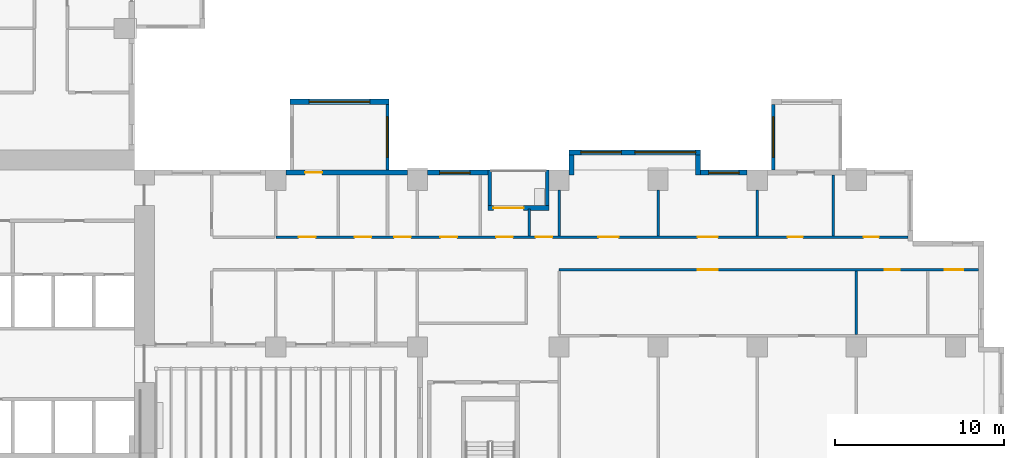
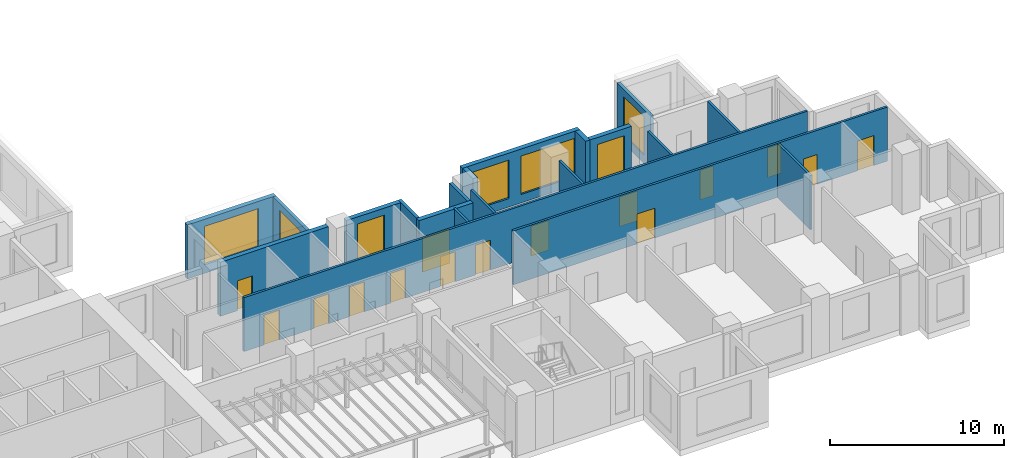
# One storey, part 7 of 16: 20 walls, 15 doors, 7 windows, 22 openings.
"""IFC4 building model written with IfcOpenShell, lengths in metres."""

from ifc_helpers import new_model, si_unit, direction, frame, frame_2d, origin, place, context, subcontext, project, spatial, rectangle, extrude, source, transform, mapped, material, layer, layer_set, type_object, element, fill, save


model = new_model("IFC4")

# Units and contexts
model_context = context("Model", 3, precision=1e-05, world=origin(), true_north=direction((0.0, 1.0)))
body_context = subcontext(model_context, "Body", "Model", "MODEL_VIEW")
ifc_project = project(units=[si_unit("LENGTHUNIT", "METRE"), si_unit("AREAUNIT", "SQUARE_METRE"), si_unit("VOLUMEUNIT", "CUBIC_METRE"), si_unit("PLANEANGLEUNIT", "RADIAN"), si_unit("MASSUNIT", "GRAM", prefix="KILO")], contexts=[model_context])

# Site, building, storey
site_placement = place(None, origin())
site = spatial("IfcSite", under=ifc_project, at=site_placement, CompositionType="ELEMENT")
building_placement = place(site_placement, origin())
building = spatial("IfcBuilding", under=site, at=building_placement, Name="Aurelian Terraces", CompositionType="ELEMENT")
storey_placement = place(building_placement, frame((0.0, 0.0, 95.1)))
storey = spatial("IfcBuildingStorey", under=building, at=storey_placement, Name="L20", CompositionType="ELEMENT", Elevation=95.1)

# Wall, opening, door
ifc_material_1 = material(Name="Terracotta rainscreen cladding", Category="masonry")
ifc_layer_1 = layer(ifc_material_1, 0.3)
ifc_layer_set_1 = layer_set([ifc_layer_1], Name="EW-300")
wall_type_1 = type_object("IfcWallType", Name="EW-300", PredefinedType="STANDARD", material=ifc_layer_set_1)
shared_shape_1 = source(origin(), body_context, "Body", "SweptSolid", [
    extrude(rectangle(XDim=7.2, YDim=0.3, at=frame_2d((3.6, 0.0))), origin(), (0.0, 0.0, 1.0), 3.8),
])
wall_1_placement = place(storey_placement, frame((37.2, 20.85, 0.0), z_axis=(0.0, 0.0, 1.0), x_axis=(-1.0, 0.0, 0.0)))
wall_1 = element("IfcWall", 1, at=wall_1_placement, inside=storey, type_object=wall_type_1, Name="External wall L20 F11.24", PredefinedType="STANDARD", context=body_context, shape_type="MappedRepresentation", body=[
    mapped(shared_shape_1, transform((0.0, 0.0, 0.0), scale=1.0)),
])
shared_shape_2 = source(origin(), body_context, "Body", "SweptSolid", [
    extrude(rectangle(XDim=1.0, YDim=2.1, at=frame_2d((0.5, 1.05))), frame((0.0, 0.16, 0.0), z_axis=(0.0, -1.0, 0.0), x_axis=(1.0, 0.0, 0.0)), (0.0, 0.0, 1.0), 0.32),
])
opening_1_placement = place(wall_1_placement, frame((5.06, 0.0, 0.0)))
opening_1 = element("IfcOpeningElement", 2, at=opening_1_placement, cuts=wall_1, Name="Opening 820001", PredefinedType="OPENING", context=body_context, shape_type="MappedRepresentation", body=[
    mapped(shared_shape_2, transform((0.0, 0.0, 0.0), scale=1.0)),
])
ifc_material_2 = material(Name="Timber door leaf", Category="wood")
door_type_1 = type_object("IfcDoorType", Name="Room door 1000x2100 left", OperationType="SINGLE_SWING_LEFT", PredefinedType="DOOR", material=ifc_material_2)
shared_shape_3 = source(origin(), body_context, "Body", "SweptSolid", [
    extrude(rectangle(XDim=1.0, YDim=2.1, at=frame_2d((0.5, 1.05))), frame((0.0, 0.025, 0.0), z_axis=(0.0, -1.0, 0.0), x_axis=(1.0, 0.0, 0.0)), (0.0, 0.0, 1.0), 0.05),
])
door_1_placement = place(opening_1_placement, origin())
door_1 = element("IfcDoor", 3, at=door_1_placement, inside=storey, type_object=door_type_1, Name="Door 820001", OperationType="SINGLE_SWING_LEFT", OverallHeight=2.1, OverallWidth=1.0, PredefinedType="DOOR", context=body_context, shape_type="MappedRepresentation", body=[
    mapped(shared_shape_3, transform((0.0, 0.0, 0.0), scale=1.0)),
])
fill(opening_1, door_1)

# Wall, opening, window
shared_shape_4 = source(origin(), body_context, "Body", "SweptSolid", [
    extrude(rectangle(XDim=2.76, YDim=0.3, at=frame_2d((1.38, 0.0))), origin(), (0.0, 0.0, 1.0), 3.8),
])
wall_2_placement = place(storey_placement, frame((57.36, 20.85, 0.0), z_axis=(0.0, 0.0, 1.0), x_axis=(-1.0, 0.0, 0.0)))
wall_2 = element("IfcWall", 4, at=wall_2_placement, inside=storey, type_object=wall_type_1, Name="External wall L20 F11.21", PredefinedType="STANDARD", context=body_context, shape_type="MappedRepresentation", body=[
    mapped(shared_shape_4, transform((0.0, 0.0, 0.0), scale=1.0)),
])
shared_shape_5 = source(origin(), body_context, "Body", "SweptSolid", [
    extrude(rectangle(XDim=1.8, YDim=2.7, at=frame_2d((0.9, 1.35))), frame((0.0, 0.16, 0.0), z_axis=(0.0, -1.0, 0.0), x_axis=(1.0, 0.0, 0.0)), (0.0, 0.0, 1.0), 0.32),
])
opening_2_placement = place(wall_2_placement, frame((0.48, 0.0, 0.6)))
opening_2 = element("IfcOpeningElement", 5, at=opening_2_placement, cuts=wall_2, Name="Opening W1827", PredefinedType="OPENING", context=body_context, shape_type="MappedRepresentation", body=[
    mapped(shared_shape_5, transform((0.0, 0.0, 0.0), scale=1.0)),
])
ifc_material_3 = material(Name="Clear glazing", Category="glass")
window_type_1 = type_object("IfcWindowType", Name="W-1800x2700", PartitioningType="SINGLE_PANEL", PredefinedType="WINDOW", material=ifc_material_3)
shared_shape_6 = source(origin(), body_context, "Body", "SweptSolid", [
    extrude(rectangle(XDim=1.8, YDim=2.7, at=frame_2d((0.9, 1.35))), frame((0.0, 0.03, 0.0), z_axis=(0.0, -1.0, 0.0), x_axis=(1.0, 0.0, 0.0)), (0.0, 0.0, 1.0), 0.06),
])
window_1_placement = place(opening_2_placement, origin())
window_1 = element("IfcWindow", 6, at=window_1_placement, inside=storey, type_object=window_type_1, Name="Window L20 L20-F11-21-P2", OverallHeight=2.7, OverallWidth=1.8, PartitioningType="SINGLE_PANEL", PredefinedType="WINDOW", context=body_context, shape_type="MappedRepresentation", body=[
    mapped(shared_shape_6, transform((0.0, 0.0, 0.0), scale=1.0)),
])
fill(opening_2, window_1)

# Walls
shared_shape_7 = source(origin(), body_context, "Body", "SweptSolid", [
    extrude(rectangle(XDim=1.2, YDim=0.3, at=frame_2d((0.6, 0.0))), origin(), (0.0, 0.0, 1.0), 3.8),
])
for number, where, z_axis, x_axis, name in (
    (7, (54.45, 20.7, 0.0), (0.0, 0.0, 1.0), (0.0, 1.0, 0.0), "Bay return L20 F11.22.1"),
    (8, (46.95, 20.7, 0.0), (0.0, 0.0, 1.0), (0.0, 1.0, 0.0), "Bay return L20 F11.22.2"),
):
    element("IfcWall", number, at=place(storey_placement, frame(where, z_axis=z_axis, x_axis=x_axis)), inside=storey, type_object=wall_type_1, Name=name, PredefinedType="STANDARD", context=body_context, shape_type="MappedRepresentation", body=[
        mapped(shared_shape_7, transform((0.0, 0.0, 0.0), scale=1.0)),
    ])

# Wall, opening, door
shared_shape_8 = source(origin(), body_context, "Body", "SweptSolid", [
    extrude(rectangle(XDim=3.6, YDim=0.3, at=frame_2d((1.8, 0.0))), origin(), (0.0, 0.0, 1.0), 3.8),
])
wall_3_placement = place(storey_placement, frame((45.6, 18.75, 0.0), z_axis=(0.0, 0.0, 1.0), x_axis=(-1.0, 0.0, 0.0)))
wall_3 = element("IfcWall", 9, at=wall_3_placement, inside=storey, type_object=wall_type_1, Name="Loggia wall L20 F11.23", PredefinedType="STANDARD", context=body_context, shape_type="MappedRepresentation", body=[
    mapped(shared_shape_8, transform((0.0, 0.0, 0.0), scale=1.0)),
])
shared_shape_9 = source(origin(), body_context, "Body", "SweptSolid", [
    extrude(rectangle(XDim=1.8, YDim=2.4, at=frame_2d((0.9, 1.2))), frame((0.0, 0.16, 0.0), z_axis=(0.0, -1.0, 0.0), x_axis=(1.0, 0.0, 0.0)), (0.0, 0.0, 1.0), 0.32),
])
opening_3_placement = place(wall_3_placement, frame((1.5, 0.0, 0.0)))
opening_3 = element("IfcOpeningElement", 10, at=opening_3_placement, cuts=wall_3, Name="Opening 82005", PredefinedType="OPENING", context=body_context, shape_type="MappedRepresentation", body=[
    mapped(shared_shape_9, transform((0.0, 0.0, 0.0), scale=1.0)),
])
door_type_2 = type_object("IfcDoorType", Name="BD-1800x2400", OperationType="SLIDING_TO_LEFT", PredefinedType="DOOR", material=ifc_material_3)
shared_shape_10 = source(origin(), body_context, "Body", "SweptSolid", [
    extrude(rectangle(XDim=1.8, YDim=2.4, at=frame_2d((0.9, 1.2))), frame((0.0, 0.025, 0.0), z_axis=(0.0, -1.0, 0.0), x_axis=(1.0, 0.0, 0.0)), (0.0, 0.0, 1.0), 0.05),
])
door_2_placement = place(opening_3_placement, origin())
door_2 = element("IfcDoor", 11, at=door_2_placement, inside=storey, type_object=door_type_2, Name="Balcony door L20 F11.23", OperationType="SLIDING_TO_LEFT", OverallHeight=2.4, OverallWidth=1.8, PredefinedType="DOOR", context=body_context, shape_type="MappedRepresentation", body=[
    mapped(shared_shape_10, transform((0.0, 0.0, 0.0), scale=1.0)),
])
fill(opening_3, door_2)

# Wall, opening, window
wall_4_placement = place(storey_placement, frame((42.0, 20.85, 0.0), z_axis=(0.0, 0.0, 1.0), x_axis=(-1.0, 0.0, 0.0)))
wall_4 = element("IfcWall", 12, at=wall_4_placement, inside=storey, type_object=wall_type_1, Name="External wall L20 F11.24", PredefinedType="STANDARD", context=body_context, shape_type="MappedRepresentation", body=[
    mapped(shared_shape_8, transform((0.0, 0.0, 0.0), scale=1.0)),
])
opening_4_placement = place(wall_4_placement, frame((1.081, 0.0, 0.6)))
opening_4 = element("IfcOpeningElement", 13, at=opening_4_placement, cuts=wall_4, Name="Opening W1827", PredefinedType="OPENING", context=body_context, shape_type="MappedRepresentation", body=[
    mapped(shared_shape_5, transform((0.0, 0.0, 0.0), scale=1.0)),
])
window_2_placement = place(opening_4_placement, origin())
window_2 = element("IfcWindow", 14, at=window_2_placement, inside=storey, type_object=window_type_1, Name="Window L20 L20-F11-24-P0", OverallHeight=2.7, OverallWidth=1.8, PartitioningType="SINGLE_PANEL", PredefinedType="WINDOW", context=body_context, shape_type="MappedRepresentation", body=[
    mapped(shared_shape_6, transform((0.0, 0.0, 0.0), scale=1.0)),
])
fill(opening_4, window_2)

# Walls
ifc_layer_2 = layer(ifc_material_1, 0.2)
ifc_layer_set_2 = layer_set([ifc_layer_2], Name="EW-200")
wall_type_2 = type_object("IfcWallType", Name="EW-200", PredefinedType="STANDARD", material=ifc_layer_set_2)
shared_shape_11 = source(origin(), body_context, "Body", "SweptSolid", [
    extrude(rectangle(XDim=2.1, YDim=0.2, at=frame_2d((1.05, 0.0))), origin(), (0.0, 0.0, 1.0), 3.8),
])
for number, where, z_axis, x_axis, name in (
    (15, (45.5, 21.0, 0.0), (0.0, 0.0, 1.0), (0.0, -1.0, 0.0), "Loggia return L20 F11.23.1"),
    (16, (42.1, 21.0, 0.0), (0.0, 0.0, 1.0), (0.0, -1.0, 0.0), "Loggia return L20 F11.23.2"),
):
    element("IfcWall", number, at=place(storey_placement, frame(where, z_axis=z_axis, x_axis=x_axis)), inside=storey, type_object=wall_type_2, Name=name, PredefinedType="STANDARD", context=body_context, shape_type="MappedRepresentation", body=[
        mapped(shared_shape_11, transform((0.0, 0.0, 0.0), scale=1.0)),
    ])

# Wall, opening, window
ifc_material_4 = material(Name="Concrete fc' 40 MPa", Category="concrete")
ifc_layer_3 = layer(ifc_material_4, 0.2)
ifc_layer_set_3 = layer_set([ifc_layer_3], Name="BOX BEARING WALL 200")
wall_type_3 = type_object("IfcWallType", Name="BOX BEARING WALL 200", PredefinedType="SOLIDWALL", material=ifc_layer_set_3)
shared_shape_12 = source(origin(), body_context, "Body", "SweptSolid", [
    extrude(rectangle(XDim=3.9, YDim=0.2, at=frame_2d((1.95, 0.0))), origin(), (0.0, 0.0, 1.0), 3.8),
])
wall_5_placement = place(storey_placement, frame((36.02, 21.0, 0.0), z_axis=(0.0, 0.0, 1.0), x_axis=(0.0, 1.0, 0.0)))
wall_5 = element("IfcWall", 17, at=wall_5_placement, inside=storey, type_object=wall_type_3, Name="Box return L20 J25.1", PredefinedType="SOLIDWALL", context=body_context, shape_type="MappedRepresentation", body=[
    mapped(shared_shape_12, transform((0.0, 0.0, 0.0), scale=1.0)),
])
shared_shape_13 = source(origin(), body_context, "Body", "SweptSolid", [
    extrude(rectangle(XDim=2.4, YDim=2.7, at=frame_2d((1.2, 1.35))), frame((0.0, 0.11, 0.0), z_axis=(0.0, -1.0, 0.0), x_axis=(1.0, 0.0, 0.0)), (0.0, 0.0, 1.0), 0.22),
])
opening_5_placement = place(wall_5_placement, frame((0.75, 0.0, 0.6)))
opening_5 = element("IfcOpeningElement", 18, at=opening_5_placement, cuts=wall_5, Name="Opening W2427", PredefinedType="OPENING", context=body_context, shape_type="MappedRepresentation", body=[
    mapped(shared_shape_13, transform((0.0, 0.0, 0.0), scale=1.0)),
])
window_type_2 = type_object("IfcWindowType", Name="W-2400x2700", PartitioningType="SINGLE_PANEL", PredefinedType="WINDOW", material=ifc_material_3)
shared_shape_14 = source(origin(), body_context, "Body", "SweptSolid", [
    extrude(rectangle(XDim=2.4, YDim=2.7, at=frame_2d((1.2, 1.35))), frame((0.0, 0.03, 0.0), z_axis=(0.0, -1.0, 0.0), x_axis=(1.0, 0.0, 0.0)), (0.0, 0.0, 1.0), 0.06),
])
window_3_placement = place(opening_5_placement, origin())
window_3 = element("IfcWindow", 19, at=window_3_placement, inside=storey, type_object=window_type_2, Name="Window L20 J25-S1", OverallHeight=2.7, OverallWidth=2.4, PartitioningType="SINGLE_PANEL", PredefinedType="WINDOW", context=body_context, shape_type="MappedRepresentation", body=[
    mapped(shared_shape_14, transform((0.0, 0.0, 0.0), scale=1.0)),
])
fill(opening_5, window_3)

wall_6_placement = place(storey_placement, frame((58.9, 21.0, 0.0), z_axis=(0.0, 0.0, 1.0), x_axis=(0.0, 1.0, 0.0)))
wall_6 = element("IfcWall", 20, at=wall_6_placement, inside=storey, type_object=wall_type_3, Name="Box return L20 J26.2", PredefinedType="SOLIDWALL", context=body_context, shape_type="MappedRepresentation", body=[
    mapped(shared_shape_12, transform((0.0, 0.0, 0.0), scale=1.0)),
])
opening_6_placement = place(wall_6_placement, frame((0.75, 0.0, 0.6)))
opening_6 = element("IfcOpeningElement", 21, at=opening_6_placement, cuts=wall_6, Name="Opening W2427", PredefinedType="OPENING", context=body_context, shape_type="MappedRepresentation", body=[
    mapped(shared_shape_13, transform((0.0, 0.0, 0.0), scale=1.0)),
])
window_4_placement = place(opening_6_placement, origin())
window_4 = element("IfcWindow", 22, at=window_4_placement, inside=storey, type_object=window_type_2, Name="Window L20 J26-S2", OverallHeight=2.7, OverallWidth=2.4, PartitioningType="SINGLE_PANEL", PredefinedType="WINDOW", context=body_context, shape_type="MappedRepresentation", body=[
    mapped(shared_shape_14, transform((0.0, 0.0, 0.0), scale=1.0)),
])
fill(opening_6, window_4)

ifc_layer_4 = layer(ifc_material_4, 0.3)
ifc_layer_set_4 = layer_set([ifc_layer_4], Name="BOX BEARING WALL 300")
wall_type_4 = type_object("IfcWallType", Name="BOX BEARING WALL 300", PredefinedType="SOLIDWALL", material=ifc_layer_set_4)
shared_shape_15 = source(origin(), body_context, "Body", "SweptSolid", [
    extrude(rectangle(XDim=5.88, YDim=0.3, at=frame_2d((2.94, 0.0))), origin(), (0.0, 0.0, 1.0), 3.8),
])
wall_7_placement = place(storey_placement, frame((36.12, 25.05, 0.0), z_axis=(0.0, 0.0, 1.0), x_axis=(-1.0, 0.0, 0.0)))
wall_7 = element("IfcWall", 23, at=wall_7_placement, inside=storey, type_object=wall_type_4, Name="Box wall L20 J25", PredefinedType="SOLIDWALL", context=body_context, shape_type="MappedRepresentation", body=[
    mapped(shared_shape_15, transform((0.0, 0.0, 0.0), scale=1.0)),
])
shared_shape_16 = source(origin(), body_context, "Body", "SweptSolid", [
    extrude(rectangle(XDim=3.6, YDim=2.7, at=frame_2d((1.8, 1.35))), frame((0.0, 0.16, 0.0), z_axis=(0.0, -1.0, 0.0), x_axis=(1.0, 0.0, 0.0)), (0.0, 0.0, 1.0), 0.32),
])
opening_7_placement = place(wall_7_placement, frame((1.14, 0.0, 0.6)))
opening_7 = element("IfcOpeningElement", 24, at=opening_7_placement, cuts=wall_7, Name="Opening W3627", PredefinedType="OPENING", context=body_context, shape_type="MappedRepresentation", body=[
    mapped(shared_shape_16, transform((0.0, 0.0, 0.0), scale=1.0)),
])
window_type_3 = type_object("IfcWindowType", Name="W-3600x2700", PartitioningType="SINGLE_PANEL", PredefinedType="WINDOW", material=ifc_material_3)
shared_shape_17 = source(origin(), body_context, "Body", "SweptSolid", [
    extrude(rectangle(XDim=3.6, YDim=2.7, at=frame_2d((1.8, 1.35))), frame((0.0, 0.03, 0.0), z_axis=(0.0, -1.0, 0.0), x_axis=(1.0, 0.0, 0.0)), (0.0, 0.0, 1.0), 0.06),
])
window_5_placement = place(opening_7_placement, origin())
window_5 = element("IfcWindow", 25, at=window_5_placement, inside=storey, type_object=window_type_3, Name="Window L20 J25-F1", OverallHeight=2.7, OverallWidth=3.6, PartitioningType="SINGLE_PANEL", PredefinedType="WINDOW", context=body_context, shape_type="MappedRepresentation", body=[
    mapped(shared_shape_17, transform((0.0, 0.0, 0.0), scale=1.0)),
])
fill(opening_7, window_5)

# Wall, openings, windows
shared_shape_18 = source(origin(), body_context, "Body", "SweptSolid", [
    extrude(rectangle(XDim=7.8, YDim=0.3, at=frame_2d((3.9, 0.0))), origin(), (0.0, 0.0, 1.0), 3.8),
])
wall_8_placement = place(storey_placement, frame((54.6, 22.05, 0.0), z_axis=(0.0, 0.0, 1.0), x_axis=(-1.0, 0.0, 0.0)))
wall_8 = element("IfcWall", 26, at=wall_8_placement, inside=storey, type_object=wall_type_1, Name="Bay wall L20 F11.22", PredefinedType="STANDARD", context=body_context, shape_type="MappedRepresentation", body=[
    mapped(shared_shape_18, transform((0.0, 0.0, 0.0), scale=1.0)),
])
opening_8_placement = place(wall_8_placement, frame((0.3, 0.0, 0.6)))
opening_8 = element("IfcOpeningElement", 27, at=opening_8_placement, cuts=wall_8, Name="Opening W3627", PredefinedType="OPENING", context=body_context, shape_type="MappedRepresentation", body=[
    mapped(shared_shape_16, transform((0.0, 0.0, 0.0), scale=1.0)),
])
shared_shape_19 = source(origin(), body_context, "Body", "SweptSolid", [
    extrude(rectangle(XDim=2.4, YDim=2.7, at=frame_2d((1.2, 1.35))), frame((0.0, 0.16, 0.0), z_axis=(0.0, -1.0, 0.0), x_axis=(1.0, 0.0, 0.0)), (0.0, 0.0, 1.0), 0.32),
])
opening_9_placement = place(wall_8_placement, frame((4.7, 0.0, 0.6)))
opening_9 = element("IfcOpeningElement", 28, at=opening_9_placement, cuts=wall_8, Name="Opening W2427", PredefinedType="OPENING", context=body_context, shape_type="MappedRepresentation", body=[
    mapped(shared_shape_19, transform((0.0, 0.0, 0.0), scale=1.0)),
])
window_6_placement = place(opening_8_placement, origin())
window_6 = element("IfcWindow", 29, at=window_6_placement, inside=storey, type_object=window_type_3, Name="Window L20 L20-F11-22-0", OverallHeight=2.7, OverallWidth=3.6, PartitioningType="SINGLE_PANEL", PredefinedType="WINDOW", context=body_context, shape_type="MappedRepresentation", body=[
    mapped(shared_shape_17, transform((0.0, 0.0, 0.0), scale=1.0)),
])
fill(opening_8, window_6)
window_7_placement = place(opening_9_placement, origin())
window_7 = element("IfcWindow", 30, at=window_7_placement, inside=storey, type_object=window_type_2, Name="Window L20 L20-F11-22-1", OverallHeight=2.7, OverallWidth=2.4, PartitioningType="SINGLE_PANEL", PredefinedType="WINDOW", context=body_context, shape_type="MappedRepresentation", body=[
    mapped(shared_shape_14, transform((0.0, 0.0, 0.0), scale=1.0)),
])
fill(opening_9, window_7)

# Walls
ifc_material_5 = material(Name="Gypsum board on steel studs", Category="steel")
ifc_layer_5 = layer(ifc_material_5, 0.15)
ifc_layer_set_5 = layer_set([ifc_layer_5], Name="Partition 150")
wall_type_5 = type_object("IfcWallType", Name="Partition 150", PredefinedType="PARTITIONING", material=ifc_layer_set_5)
shared_shape_20 = source(origin(), body_context, "Body", "SweptSolid", [
    extrude(rectangle(XDim=3.75, YDim=0.15, at=frame_2d((1.875, 0.0))), origin(), (0.0, 0.0, 1.0), 3.8),
])
wall_9_placement = place(storey_placement, frame((63.84, 11.25, 0.0), z_axis=(0.0, 0.0, 1.0), x_axis=(0.0, 1.0, 0.0)))
element("IfcWall", 31, at=wall_9_placement, inside=storey, type_object=wall_type_5, Name="Partition", PredefinedType="PARTITIONING", context=body_context, shape_type="MappedRepresentation", body=[
    mapped(shared_shape_20, transform((0.0, 0.0, 0.0), scale=1.0)),
])
shared_shape_21 = source(origin(), body_context, "Body", "SweptSolid", [
    extrude(rectangle(XDim=3.6, YDim=0.15, at=frame_2d((1.8, 0.0))), origin(), (0.0, 0.0, 1.0), 3.8),
])
wall_10_placement = place(storey_placement, frame((62.4675, 20.7, 0.0), z_axis=(0.0, 0.0, 1.0), x_axis=(0.0, -1.0, 0.0)))
element("IfcWall", 32, at=wall_10_placement, inside=storey, type_object=wall_type_5, Name="Partition", PredefinedType="PARTITIONING", context=body_context, shape_type="MappedRepresentation", body=[
    mapped(shared_shape_21, transform((0.0, 0.0, 0.0), scale=1.0)),
])
shared_shape_22 = source(origin(), body_context, "Body", "SweptSolid", [
    extrude(rectangle(XDim=2.701, YDim=0.15, at=frame_2d((1.3505, 0.0))), origin(), (0.0, 0.0, 1.0), 3.8),
])
for number, where, z_axis, x_axis, name in (
    (33, (52.08, 19.801, 0.0), (0.0, 0.0, 1.0), (0.0, -1.0, 0.0), "Partition"),
    (34, (46.2, 17.1, 0.0), (0.0, 0.0, 1.0), (0.0, 1.0, 0.0), "Partition"),
    (35, (57.96, 17.1, 0.0), (0.0, 0.0, 1.0), (0.0, 1.0, 0.0), "Partition"),
):
    element("IfcWall", number, at=place(storey_placement, frame(where, z_axis=z_axis, x_axis=x_axis)), inside=storey, type_object=wall_type_5, Name=name, PredefinedType="PARTITIONING", context=body_context, shape_type="MappedRepresentation", body=[
        mapped(shared_shape_22, transform((0.0, 0.0, 0.0), scale=1.0)),
    ])

# Wall, openings, doors
ifc_layer_6 = layer(ifc_material_5, 0.15)
ifc_layer_set_6 = layer_set([ifc_layer_6], Name="Fire partition 150")
wall_type_6 = type_object("IfcWallType", Name="Fire partition 150", PredefinedType="PARTITIONING", material=ifc_layer_set_6)
shared_shape_23 = source(origin(), body_context, "Body", "SweptSolid", [
    extrude(rectangle(XDim=24.9, YDim=0.15, at=frame_2d((12.45, 0.0))), origin(), (0.0, 0.0, 1.0), 3.8),
])
wall_11_placement = place(storey_placement, frame((71.1, 15.075, 0.0), z_axis=(0.0, 0.0, 1.0), x_axis=(-1.0, 0.0, 0.0)))
wall_11 = element("IfcWall", 36, at=wall_11_placement, inside=storey, type_object=wall_type_6, Name="Corridor wall", PredefinedType="PARTITIONING", context=body_context, shape_type="MappedRepresentation", body=[
    mapped(shared_shape_23, transform((0.0, 0.0, 0.0), scale=1.0)),
])
shared_shape_24 = source(origin(), body_context, "Body", "SweptSolid", [
    extrude(rectangle(XDim=1.2, YDim=2.1, at=frame_2d((0.6, 1.05))), frame((0.0, 0.085, 0.0), z_axis=(0.0, -1.0, 0.0), x_axis=(1.0, 0.0, 0.0)), (0.0, 0.0, 1.0), 0.17),
])
opening_10_placement = place(wall_11_placement, frame((15.48, 0.0, 0.0)))
opening_10 = element("IfcOpeningElement", 37, at=opening_10_placement, cuts=wall_11, Name="Opening 720008", PredefinedType="OPENING", context=body_context, shape_type="MappedRepresentation", body=[
    mapped(shared_shape_24, transform((0.0, 0.0, 0.0), scale=1.0)),
])
shared_shape_25 = source(origin(), body_context, "Body", "SweptSolid", [
    extrude(rectangle(XDim=1.1, YDim=2.1, at=frame_2d((0.55, 1.05))), frame((0.0, 0.085, 0.0), z_axis=(0.0, -1.0, 0.0), x_axis=(1.0, 0.0, 0.0)), (0.0, 0.0, 1.0), 0.17),
])
opening_11_placement = place(wall_11_placement, frame((0.9214, 0.0, 0.0)))
opening_11 = element("IfcOpeningElement", 38, at=opening_11_placement, cuts=wall_11, Name="Opening 720012", PredefinedType="OPENING", context=body_context, shape_type="MappedRepresentation", body=[
    mapped(shared_shape_25, transform((0.0, 0.0, 0.0), scale=1.0)),
])
shared_shape_26 = source(origin(), body_context, "Body", "SweptSolid", [
    extrude(rectangle(XDim=0.9, YDim=2.1, at=frame_2d((0.45, 1.05))), frame((0.0, 0.085, 0.0), z_axis=(0.0, -1.0, 0.0), x_axis=(1.0, 0.0, 0.0)), (0.0, 0.0, 1.0), 0.17),
])
opening_12_placement = place(wall_11_placement, frame((4.6889, 0.0, 0.0)))
opening_12 = element("IfcOpeningElement", 39, at=opening_12_placement, cuts=wall_11, Name="Opening 720013", PredefinedType="OPENING", context=body_context, shape_type="MappedRepresentation", body=[
    mapped(shared_shape_26, transform((0.0, 0.0, 0.0), scale=1.0)),
])
door_type_3 = type_object("IfcDoorType", Name="Room door 900x2100 right", OperationType="SINGLE_SWING_RIGHT", PredefinedType="DOOR", material=ifc_material_2)
shared_shape_27 = source(origin(), body_context, "Body", "SweptSolid", [
    extrude(rectangle(XDim=0.9, YDim=2.1, at=frame_2d((0.45, 1.05))), frame((0.0, 0.025, 0.0), z_axis=(0.0, -1.0, 0.0), x_axis=(1.0, 0.0, 0.0)), (0.0, 0.0, 1.0), 0.05),
])
door_3_placement = place(opening_12_placement, origin())
door_3 = element("IfcDoor", 40, at=door_3_placement, inside=storey, type_object=door_type_3, Name="Door 720013", OperationType="SINGLE_SWING_RIGHT", OverallHeight=2.1, OverallWidth=0.9, PredefinedType="DOOR", context=body_context, shape_type="MappedRepresentation", body=[
    mapped(shared_shape_27, transform((0.0, 0.0, 0.0), scale=1.0)),
])
fill(opening_12, door_3)
door_type_4 = type_object("IfcDoorType", Name="Room door 1100x2100 right", OperationType="SINGLE_SWING_RIGHT", PredefinedType="DOOR", material=ifc_material_2)
shared_shape_28 = source(origin(), body_context, "Body", "SweptSolid", [
    extrude(rectangle(XDim=1.1, YDim=2.1, at=frame_2d((0.55, 1.05))), frame((0.0, 0.025, 0.0), z_axis=(0.0, -1.0, 0.0), x_axis=(1.0, 0.0, 0.0)), (0.0, 0.0, 1.0), 0.05),
])
door_4_placement = place(opening_11_placement, origin())
door_4 = element("IfcDoor", 41, at=door_4_placement, inside=storey, type_object=door_type_4, Name="Door 720012", OperationType="SINGLE_SWING_RIGHT", OverallHeight=2.1, OverallWidth=1.1, PredefinedType="DOOR", context=body_context, shape_type="MappedRepresentation", body=[
    mapped(shared_shape_28, transform((0.0, 0.0, 0.0), scale=1.0)),
])
fill(opening_11, door_4)
door_type_5 = type_object("IfcDoorType", Name="Room door 1200x2100 right", OperationType="SINGLE_SWING_RIGHT", PredefinedType="DOOR", material=ifc_material_2)
shared_shape_29 = source(origin(), body_context, "Body", "SweptSolid", [
    extrude(rectangle(XDim=1.2, YDim=2.1, at=frame_2d((0.6, 1.05))), frame((0.0, 0.025, 0.0), z_axis=(0.0, -1.0, 0.0), x_axis=(1.0, 0.0, 0.0)), (0.0, 0.0, 1.0), 0.05),
])
door_5_placement = place(opening_10_placement, origin())
door_5 = element("IfcDoor", 42, at=door_5_placement, inside=storey, type_object=door_type_5, Name="Door 720008", OperationType="SINGLE_SWING_RIGHT", OverallHeight=2.1, OverallWidth=1.2, PredefinedType="DOOR", context=body_context, shape_type="MappedRepresentation", body=[
    mapped(shared_shape_29, transform((0.0, 0.0, 0.0), scale=1.0)),
])
fill(opening_10, door_5)

shared_shape_30 = source(origin(), body_context, "Body", "SweptSolid", [
    extrude(rectangle(XDim=37.5, YDim=0.15, at=frame_2d((18.75, 0.0))), origin(), (0.0, 0.0, 1.0), 3.8),
])
wall_12_placement = place(storey_placement, frame((29.4, 17.025, 0.0), z_axis=(0.0, 0.0, 1.0), x_axis=(1.0, 0.0, 0.0)))
wall_12 = element("IfcWall", 43, at=wall_12_placement, inside=storey, type_object=wall_type_6, Name="Corridor wall", PredefinedType="PARTITIONING", context=body_context, shape_type="MappedRepresentation", body=[
    mapped(shared_shape_30, transform((0.0, 0.0, 0.0), scale=1.0)),
])
shared_shape_31 = source(origin(), body_context, "Body", "SweptSolid", [
    extrude(rectangle(XDim=1.0, YDim=2.1, at=frame_2d((0.5, 1.05))), frame((0.0, 0.085, 0.0), z_axis=(0.0, -1.0, 0.0), x_axis=(1.0, 0.0, 0.0)), (0.0, 0.0, 1.0), 0.17),
])
opening_13_placement = place(wall_12_placement, frame((1.3567, 0.0, 0.0)))
opening_13 = element("IfcOpeningElement", 44, at=opening_13_placement, cuts=wall_12, Name="Opening 720014", PredefinedType="OPENING", context=body_context, shape_type="MappedRepresentation", body=[
    mapped(shared_shape_31, transform((0.0, 0.0, 0.0), scale=1.0)),
])
opening_14_placement = place(wall_12_placement, frame((4.6686, 0.0, 0.0)))
opening_14 = element("IfcOpeningElement", 45, at=opening_14_placement, cuts=wall_12, Name="Opening 720015", PredefinedType="OPENING", context=body_context, shape_type="MappedRepresentation", body=[
    mapped(shared_shape_31, transform((0.0, 0.0, 0.0), scale=1.0)),
])
opening_15_placement = place(wall_12_placement, frame((7.012, 0.0, 0.0)))
opening_15 = element("IfcOpeningElement", 46, at=opening_15_placement, cuts=wall_12, Name="Opening 720016", PredefinedType="OPENING", context=body_context, shape_type="MappedRepresentation", body=[
    mapped(shared_shape_31, transform((0.0, 0.0, 0.0), scale=1.0)),
])
opening_16_placement = place(wall_12_placement, frame((9.7567, 0.0, 0.0)))
opening_16 = element("IfcOpeningElement", 47, at=opening_16_placement, cuts=wall_12, Name="Opening 720017", PredefinedType="OPENING", context=body_context, shape_type="MappedRepresentation", body=[
    mapped(shared_shape_31, transform((0.0, 0.0, 0.0), scale=1.0)),
])
opening_17_placement = place(wall_12_placement, frame((13.0686, 0.0, 0.0)))
opening_17 = element("IfcOpeningElement", 48, at=opening_17_placement, cuts=wall_12, Name="Opening 720018", PredefinedType="OPENING", context=body_context, shape_type="MappedRepresentation", body=[
    mapped(shared_shape_31, transform((0.0, 0.0, 0.0), scale=1.0)),
])
opening_18_placement = place(wall_12_placement, frame((15.412, 0.0, 0.0)))
opening_18 = element("IfcOpeningElement", 49, at=opening_18_placement, cuts=wall_12, Name="Opening 720019", PredefinedType="OPENING", context=body_context, shape_type="MappedRepresentation", body=[
    mapped(shared_shape_31, transform((0.0, 0.0, 0.0), scale=1.0)),
])
opening_19_placement = place(wall_12_placement, frame((19.14, 0.0, 0.0)))
opening_19 = element("IfcOpeningElement", 50, at=opening_19_placement, cuts=wall_12, Name="Opening 720020", PredefinedType="OPENING", context=body_context, shape_type="MappedRepresentation", body=[
    mapped(shared_shape_24, transform((0.0, 0.0, 0.0), scale=1.0)),
])
opening_20_placement = place(wall_12_placement, frame((25.02, 0.0, 0.0)))
opening_20 = element("IfcOpeningElement", 51, at=opening_20_placement, cuts=wall_12, Name="Opening 720021", PredefinedType="OPENING", context=body_context, shape_type="MappedRepresentation", body=[
    mapped(shared_shape_24, transform((0.0, 0.0, 0.0), scale=1.0)),
])
opening_21_placement = place(wall_12_placement, frame((30.3638, 0.0, 0.0)))
opening_21 = element("IfcOpeningElement", 52, at=opening_21_placement, cuts=wall_12, Name="Opening 720022", PredefinedType="OPENING", context=body_context, shape_type="MappedRepresentation", body=[
    mapped(shared_shape_26, transform((0.0, 0.0, 0.0), scale=1.0)),
])
opening_22_placement = place(wall_12_placement, frame((34.8713, 0.0, 0.0)))
opening_22 = element("IfcOpeningElement", 53, at=opening_22_placement, cuts=wall_12, Name="Opening 720023", PredefinedType="OPENING", context=body_context, shape_type="MappedRepresentation", body=[
    mapped(shared_shape_26, transform((0.0, 0.0, 0.0), scale=1.0)),
])
door_type_6 = type_object("IfcDoorType", Name="Room door 1000x2100 right", OperationType="SINGLE_SWING_RIGHT", PredefinedType="DOOR", material=ifc_material_2)
door_6_placement = place(opening_13_placement, origin())
door_6 = element("IfcDoor", 54, at=door_6_placement, inside=storey, type_object=door_type_6, Name="Door 720014", OperationType="SINGLE_SWING_RIGHT", OverallHeight=2.1, OverallWidth=1.0, PredefinedType="DOOR", context=body_context, shape_type="MappedRepresentation", body=[
    mapped(shared_shape_3, transform((0.0, 0.0, 0.0), scale=1.0)),
])
fill(opening_13, door_6)
door_7_placement = place(opening_14_placement, origin())
door_7 = element("IfcDoor", 55, at=door_7_placement, inside=storey, type_object=door_type_1, Name="Door 720015", OperationType="SINGLE_SWING_LEFT", OverallHeight=2.1, OverallWidth=1.0, PredefinedType="DOOR", context=body_context, shape_type="MappedRepresentation", body=[
    mapped(shared_shape_3, transform((0.0, 0.0, 0.0), scale=1.0)),
])
fill(opening_14, door_7)
door_8_placement = place(opening_15_placement, origin())
door_8 = element("IfcDoor", 56, at=door_8_placement, inside=storey, type_object=door_type_6, Name="Door 720016", OperationType="SINGLE_SWING_RIGHT", OverallHeight=2.1, OverallWidth=1.0, PredefinedType="DOOR", context=body_context, shape_type="MappedRepresentation", body=[
    mapped(shared_shape_3, transform((0.0, 0.0, 0.0), scale=1.0)),
])
fill(opening_15, door_8)
door_9_placement = place(opening_16_placement, origin())
door_9 = element("IfcDoor", 57, at=door_9_placement, inside=storey, type_object=door_type_6, Name="Door 720017", OperationType="SINGLE_SWING_RIGHT", OverallHeight=2.1, OverallWidth=1.0, PredefinedType="DOOR", context=body_context, shape_type="MappedRepresentation", body=[
    mapped(shared_shape_3, transform((0.0, 0.0, 0.0), scale=1.0)),
])
fill(opening_16, door_9)
door_10_placement = place(opening_17_placement, origin())
door_10 = element("IfcDoor", 58, at=door_10_placement, inside=storey, type_object=door_type_1, Name="Door 720018", OperationType="SINGLE_SWING_LEFT", OverallHeight=2.1, OverallWidth=1.0, PredefinedType="DOOR", context=body_context, shape_type="MappedRepresentation", body=[
    mapped(shared_shape_3, transform((0.0, 0.0, 0.0), scale=1.0)),
])
fill(opening_17, door_10)
door_11_placement = place(opening_18_placement, origin())
door_11 = element("IfcDoor", 59, at=door_11_placement, inside=storey, type_object=door_type_6, Name="Door 720019", OperationType="SINGLE_SWING_RIGHT", OverallHeight=2.1, OverallWidth=1.0, PredefinedType="DOOR", context=body_context, shape_type="MappedRepresentation", body=[
    mapped(shared_shape_3, transform((0.0, 0.0, 0.0), scale=1.0)),
])
fill(opening_18, door_11)
door_12_placement = place(opening_21_placement, origin())
door_12 = element("IfcDoor", 60, at=door_12_placement, inside=storey, type_object=door_type_3, Name="Door 720022", OperationType="SINGLE_SWING_RIGHT", OverallHeight=2.1, OverallWidth=0.9, PredefinedType="DOOR", context=body_context, shape_type="MappedRepresentation", body=[
    mapped(shared_shape_27, transform((0.0, 0.0, 0.0), scale=1.0)),
])
fill(opening_21, door_12)
door_type_7 = type_object("IfcDoorType", Name="Room door 900x2100 left", OperationType="SINGLE_SWING_LEFT", PredefinedType="DOOR", material=ifc_material_2)
door_13_placement = place(opening_22_placement, origin())
door_13 = element("IfcDoor", 61, at=door_13_placement, inside=storey, type_object=door_type_7, Name="Door 720023", OperationType="SINGLE_SWING_LEFT", OverallHeight=2.1, OverallWidth=0.9, PredefinedType="DOOR", context=body_context, shape_type="MappedRepresentation", body=[
    mapped(shared_shape_27, transform((0.0, 0.0, 0.0), scale=1.0)),
])
fill(opening_22, door_13)
door_14_placement = place(opening_19_placement, origin())
door_14 = element("IfcDoor", 62, at=door_14_placement, inside=storey, type_object=door_type_5, Name="Door 720020", OperationType="SINGLE_SWING_RIGHT", OverallHeight=2.1, OverallWidth=1.2, PredefinedType="DOOR", context=body_context, shape_type="MappedRepresentation", body=[
    mapped(shared_shape_29, transform((0.0, 0.0, 0.0), scale=1.0)),
])
fill(opening_19, door_14)
door_type_8 = type_object("IfcDoorType", Name="Room door 1200x2100 left", OperationType="SINGLE_SWING_LEFT", PredefinedType="DOOR", material=ifc_material_2)
door_15_placement = place(opening_20_placement, origin())
door_15 = element("IfcDoor", 63, at=door_15_placement, inside=storey, type_object=door_type_8, Name="Door 720021", OperationType="SINGLE_SWING_LEFT", OverallHeight=2.1, OverallWidth=1.2, PredefinedType="DOOR", context=body_context, shape_type="MappedRepresentation", body=[
    mapped(shared_shape_29, transform((0.0, 0.0, 0.0), scale=1.0)),
])
fill(opening_20, door_15)

# Wall
shared_shape_32 = source(origin(), body_context, "Body", "SweptSolid", [
    extrude(rectangle(XDim=1.595, YDim=0.15, at=frame_2d((0.7975, 0.0))), origin(), (0.0, 0.0, 1.0), 3.8),
])
wall_13_placement = place(storey_placement, frame((44.424, 18.695, 0.0), z_axis=(0.0, 0.0, 1.0), x_axis=(0.0, -1.0, 0.0)))
element("IfcWall", 64, at=wall_13_placement, inside=storey, type_object=wall_type_5, Name="Partition", PredefinedType="PARTITIONING", context=body_context, shape_type="MappedRepresentation", body=[
    mapped(shared_shape_32, transform((0.0, 0.0, 0.0), scale=1.0)),
])

save(model, "model.ifc")
